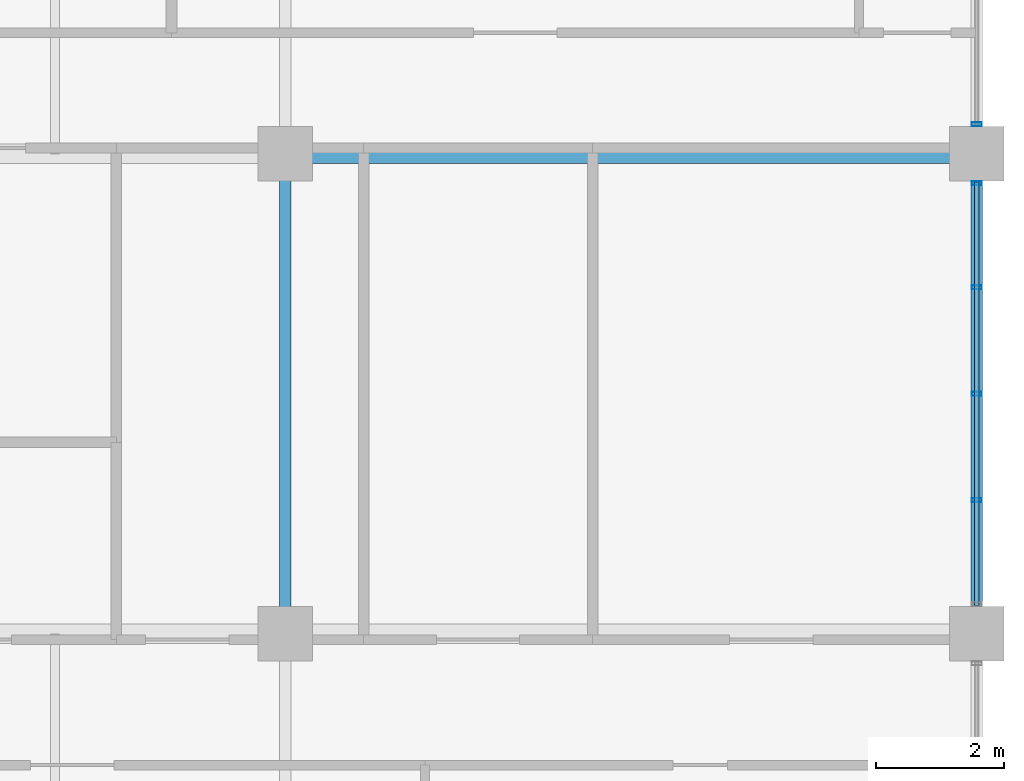
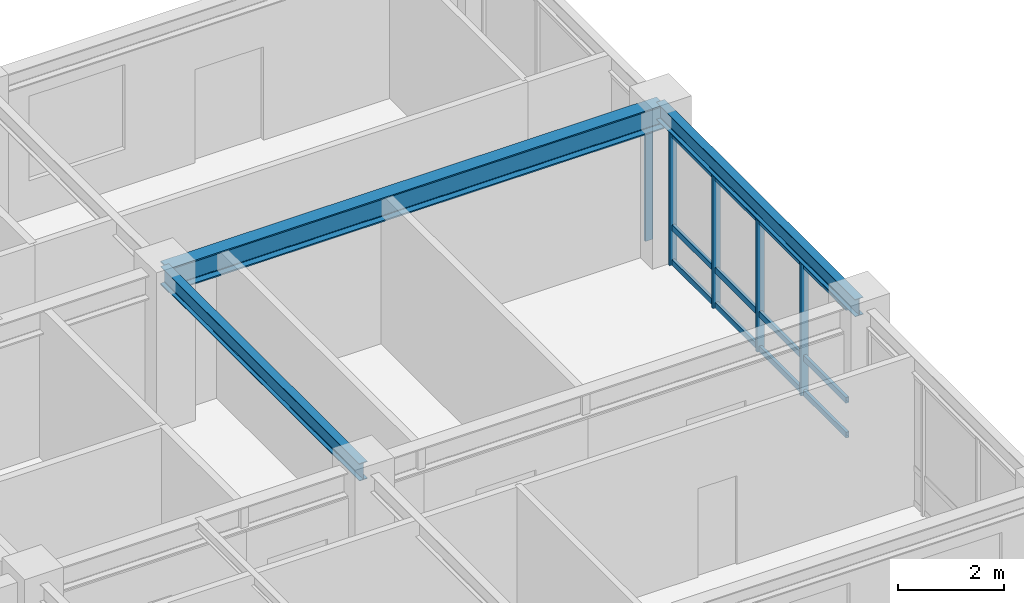
# One storey, part 3 of 11: 8 members, 3 beams, 2 elements without a shape of their own.
"""IFC4 building model written with IfcOpenShell, lengths in metres."""

from ifc_helpers import new_model, si_unit, direction, frame, origin, origin_2d, place, context, subcontext, project, spatial, hollow_rectangle, i_section, extrude, source, transform, mapped, material, layer, layer_set, material_profile, profile_set, type_object, element, aggregate, save


model = new_model("IFC4")

# Units and contexts
model_context = context("Model", 3, precision=1e-05, world=origin(), true_north=direction((0.0, 1.0)))
body_context = subcontext(model_context, "Body", "Model", "MODEL_VIEW")
ifc_project = project(units=[si_unit("LENGTHUNIT", "METRE"), si_unit("AREAUNIT", "SQUARE_METRE"), si_unit("VOLUMEUNIT", "CUBIC_METRE"), si_unit("PLANEANGLEUNIT", "RADIAN"), si_unit("MASSUNIT", "GRAM", prefix="KILO")], contexts=[model_context])

# Site, building, storey
site_placement = place(None, origin())
site = spatial("IfcSite", under=ifc_project, at=site_placement, CompositionType="ELEMENT")
building_placement = place(site_placement, origin())
building = spatial("IfcBuilding", under=site, at=building_placement, Name="Kaliganga Portal Commons", CompositionType="ELEMENT")
storey_placement = place(building_placement, frame((0.0, 0.0, 264.699951171875)))
storey = spatial("IfcBuildingStorey", under=building, at=storey_placement, Name="L68", CompositionType="ELEMENT", Elevation=264.699951171875)

# Beams
ifc_material_1 = material(Name="Structural steel S355J2", Category="steel")
ifc_material_profile_1 = material_profile(ifc_material_1, i_section(OverallWidth=0.300048828125, OverallDepth=0.550048828125, WebThickness=0.014892578125, FlangeThickness=0.029052734375, FilletRadius=0.027099609375, at=origin_2d()), Name="HE 550 B")
ifc_profile_set_1 = profile_set([ifc_material_profile_1], Name="Structural steel S355J2 wide-flange")
beam_type_1 = type_object("IfcBeamType", Name="BM-GIRD-550", PredefinedType="USERDEFINED", material=ifc_profile_set_1)
shared_shape_1 = source(origin(), body_context, "Body", "SweptSolid", [
    extrude(i_section(OverallWidth=0.300048828125, OverallDepth=0.550048828125, WebThickness=0.014892578125, FlangeThickness=0.029052734375, FilletRadius=0.027099609375, at=origin_2d()), origin(), (0.0, 0.0, 1.0), 10.800048828125),
])
beam_placement = place(storey_placement, frame((36.0, 36.14990234375, 3.199951171875), z_axis=(1.0, 0.0, 0.0), x_axis=(0.0, 1.0, 0.0)))
element("IfcBeam", 1, at=beam_placement, inside=storey, type_object=beam_type_1, Name="BM G L68 WAE_N 2", ObjectType="GIRDER", PredefinedType="USERDEFINED", context=body_context, shape_type="MappedRepresentation", body=[
    mapped(shared_shape_1, transform((0.0, 0.0, 0.0), x_axis=(1.0, 0.0, 0.0), y_axis=(0.0, 1.0, 0.0), z_axis=(0.0, 0.0, 1.0), scale=1.0)),
])
ifc_material_profile_2 = material_profile(ifc_material_1, i_section(OverallWidth=0.179931640625, OverallDepth=0.39990234375, WebThickness=0.008544921875, FlangeThickness=0.013427734375, FilletRadius=0.02099609375, at=origin_2d()), Name="IPE 400")
ifc_profile_set_2 = profile_set([ifc_material_profile_2], Name="Structural steel S355J2 wide-flange")
beam_type_2 = type_object("IfcBeamType", Name="BM-FLR-400", PredefinedType="BEAM", material=ifc_profile_set_2)
shared_shape_2 = source(origin(), body_context, "Body", "SweptSolid", [
    extrude(i_section(OverallWidth=0.179931640625, OverallDepth=0.39990234375, WebThickness=0.008544921875, FlangeThickness=0.013427734375, FilletRadius=0.02099609375, at=origin_2d()), origin(), (0.0, 0.0, 1.0), 7.5),
])
for number, where, z_axis, x_axis, name in (
    (2, (36.0, 28.64990234375, 3.275146484375), (0.0, 1.0, 0.0), (-1.0, 0.0, 0.0), "BM G L68 AM360"),
    (3, (46.800048828125, 28.64990234375, 3.275146484375), (0.0, 1.0, 0.0), (-1.0, 0.0, 0.0), "BM G L68 AM468"),
):
    element("IfcBeam", number, at=place(storey_placement, frame(where, z_axis=z_axis, x_axis=x_axis)), inside=storey, type_object=beam_type_2, Name=name, PredefinedType="BEAM", context=body_context, shape_type="MappedRepresentation", body=[
        mapped(shared_shape_2, transform((0.0, 0.0, 0.0), x_axis=(1.0, 0.0, 0.0), y_axis=(0.0, 1.0, 0.0), z_axis=(0.0, 0.0, 1.0), scale=1.0)),
    ])

# Curtain wall, members
ifc_material_2 = material(Name="Anodized Aluminium and Laminated Low-E Glass", Category="aluminium")
ifc_layer = layer(ifc_material_2, 0.18994140625)
ifc_layer_set = layer_set([ifc_layer], Name="Anodized Aluminium and Laminated Low-E Glass")
curtain_wall_type = type_object("IfcCurtainWallType", Name="CW-SYS-05", PredefinedType="NOTDEFINED", material=ifc_layer_set)
curtain_wall_1_placement = place(storey_placement, origin())
curtain_wall_1 = element("IfcCurtainWall", 4, at=curtain_wall_1_placement, inside=storey, type_object=curtain_wall_type, Name="CW 05 L68 P1E01S2", PredefinedType="NOTDEFINED")
ifc_material_3 = material(Name="Dark Bronze Anodized Aluminium", Category="aluminium")
ifc_material_profile_3 = material_profile(ifc_material_3, hollow_rectangle(XDim=0.06005859375, YDim=0.159912109375, WallThickness=0.00341796875, at=origin_2d()), Name="ALU MULL 60x160x3.5")
ifc_profile_set_3 = profile_set([ifc_material_profile_3], Name="Dark Bronze Anodized Aluminium")
member_type_1 = type_object("IfcMemberType", Name="CW-MUL-160", PredefinedType="MULLION", material=ifc_profile_set_3)
shared_shape_3 = source(origin(), body_context, "Body", "SweptSolid", [
    extrude(hollow_rectangle(XDim=0.06005859375, YDim=0.159912109375, WallThickness=0.00341796875, at=origin_2d()), origin(), (0.0, 0.0, 1.0), 3.074951171875),
])
member_1_placement = place(storey_placement, frame((46.800048828125, 30.738037109375, 0.0), z_axis=(0.0, 0.0, 1.0), x_axis=(0.0, 1.0, 0.0)))
member_1 = element("IfcMember", 5, at=member_1_placement, type_object=member_type_1, Name="CW:05:L68:P1E01S2 Mullion 01", PredefinedType="MULLION", context=body_context, shape_type="MappedRepresentation", body=[
    mapped(shared_shape_3, transform((0.0, 0.0, 0.0), x_axis=(1.0, 0.0, 0.0), y_axis=(0.0, 1.0, 0.0), z_axis=(0.0, 0.0, 1.0), scale=1.0)),
])
member_2_placement = place(storey_placement, frame((46.800048828125, 32.39990234375, 0.0), z_axis=(0.0, 0.0, 1.0), x_axis=(0.0, 1.0, 0.0)))
member_2 = element("IfcMember", 6, at=member_2_placement, type_object=member_type_1, Name="CW:05:L68:P1E01S2 Mullion 02", PredefinedType="MULLION", context=body_context, shape_type="MappedRepresentation", body=[
    mapped(shared_shape_3, transform((0.0, 0.0, 0.0), x_axis=(1.0, 0.0, 0.0), y_axis=(0.0, 1.0, 0.0), z_axis=(0.0, 0.0, 1.0), scale=1.0)),
])
member_3_placement = place(storey_placement, frame((46.800048828125, 34.06201171875, 0.0), z_axis=(0.0, 0.0, 1.0), x_axis=(0.0, 1.0, 0.0)))
member_3 = element("IfcMember", 7, at=member_3_placement, type_object=member_type_1, Name="CW:05:L68:P1E01S2 Mullion 03", PredefinedType="MULLION", context=body_context, shape_type="MappedRepresentation", body=[
    mapped(shared_shape_3, transform((0.0, 0.0, 0.0), x_axis=(1.0, 0.0, 0.0), y_axis=(0.0, 1.0, 0.0), z_axis=(0.0, 0.0, 1.0), scale=1.0)),
])
member_4_placement = place(storey_placement, frame((46.800048828125, 35.68896484375, 0.0), z_axis=(0.0, 0.0, 1.0), x_axis=(0.0, 1.0, 0.0)))
member_4 = element("IfcMember", 8, at=member_4_placement, type_object=member_type_1, Name="CW:05:L68:P1E01S2 Mullion 04", PredefinedType="MULLION", context=body_context, shape_type="MappedRepresentation", body=[
    mapped(shared_shape_3, transform((0.0, 0.0, 0.0), x_axis=(1.0, 0.0, 0.0), y_axis=(0.0, 1.0, 0.0), z_axis=(0.0, 0.0, 1.0), scale=1.0)),
])

# Curtain wall, member
curtain_wall_2_placement = place(storey_placement, origin())
curtain_wall_2 = element("IfcCurtainWall", 9, at=curtain_wall_2_placement, inside=storey, type_object=curtain_wall_type, Name="CW 05 L68 P1E01S3", PredefinedType="NOTDEFINED")
member_5_placement = place(storey_placement, frame((46.800048828125, 36.611083984375, 0.0), z_axis=(0.0, 0.0, 1.0), x_axis=(0.0, 1.0, 0.0)))
member_5 = element("IfcMember", 10, at=member_5_placement, type_object=member_type_1, Name="CW:05:L68:P1E01S3 Mullion 00", PredefinedType="MULLION", context=body_context, shape_type="MappedRepresentation", body=[
    mapped(shared_shape_3, transform((0.0, 0.0, 0.0), x_axis=(1.0, 0.0, 0.0), y_axis=(0.0, 1.0, 0.0), z_axis=(0.0, 0.0, 1.0), scale=1.0)),
])
aggregate(curtain_wall_2, [member_5])

# Member
ifc_material_profile_4 = material_profile(ifc_material_3, hollow_rectangle(XDim=0.06494140625, YDim=0.135009765625, WallThickness=0.00341796875, at=origin_2d()), Name="ALU TRAN 65x135x3.5")
ifc_profile_set_4 = profile_set([ifc_material_profile_4], Name="Dark Bronze Anodized Aluminium")
member_type_2 = type_object("IfcMemberType", Name="CW-TRN-135", PredefinedType="USERDEFINED", material=ifc_profile_set_4)
shared_shape_4 = source(origin(), body_context, "Body", "SweptSolid", [
    extrude(hollow_rectangle(XDim=0.06494140625, YDim=0.135009765625, WallThickness=0.00341796875, at=origin_2d()), origin(), (0.0, 0.0, 1.0), 6.608154296875),
])
member_6_placement = place(storey_placement, frame((46.800048828125, 29.095947265625, 0.06005859375), z_axis=(0.0, 1.0, 0.0), x_axis=(-1.0, 0.0, 0.0)))
member_6 = element("IfcMember", 11, at=member_6_placement, type_object=member_type_2, Name="CW:05:L68:P1E01S2 Transom 1", ObjectType="TRANSOM", PredefinedType="USERDEFINED", context=body_context, shape_type="MappedRepresentation", body=[
    mapped(shared_shape_4, transform((0.0, 0.0, 0.0), x_axis=(1.0, 0.0, 0.0), y_axis=(0.0, 1.0, 0.0), z_axis=(0.0, 0.0, 1.0), scale=1.0)),
])

member_7_placement = place(storey_placement, frame((46.800048828125, 29.095947265625, 0.861083984375), z_axis=(0.0, 1.0, 0.0), x_axis=(-1.0, 0.0, 0.0)))
member_7 = element("IfcMember", 12, at=member_7_placement, type_object=member_type_2, Name="CW:05:L68:P1E01S2 Transom 2", ObjectType="TRANSOM", PredefinedType="USERDEFINED", context=body_context, shape_type="MappedRepresentation", body=[
    mapped(shared_shape_4, transform((0.0, 0.0, 0.0), x_axis=(1.0, 0.0, 0.0), y_axis=(0.0, 1.0, 0.0), z_axis=(0.0, 0.0, 1.0), scale=1.0)),
])

member_8_placement = place(storey_placement, frame((46.800048828125, 29.095947265625, 2.9951171875), z_axis=(0.0, 1.0, 0.0), x_axis=(-1.0, 0.0, 0.0)))
member_8 = element("IfcMember", 13, at=member_8_placement, type_object=member_type_2, Name="CW:05:L68:P1E01S2 Transom 3", ObjectType="TRANSOM", PredefinedType="USERDEFINED", context=body_context, shape_type="MappedRepresentation", body=[
    mapped(shared_shape_4, transform((0.0, 0.0, 0.0), x_axis=(1.0, 0.0, 0.0), y_axis=(0.0, 1.0, 0.0), z_axis=(0.0, 0.0, 1.0), scale=1.0)),
])

aggregate(curtain_wall_1, [member_1, member_2, member_3, member_4, member_6, member_7, member_8])

save(model, "model.ifc")
